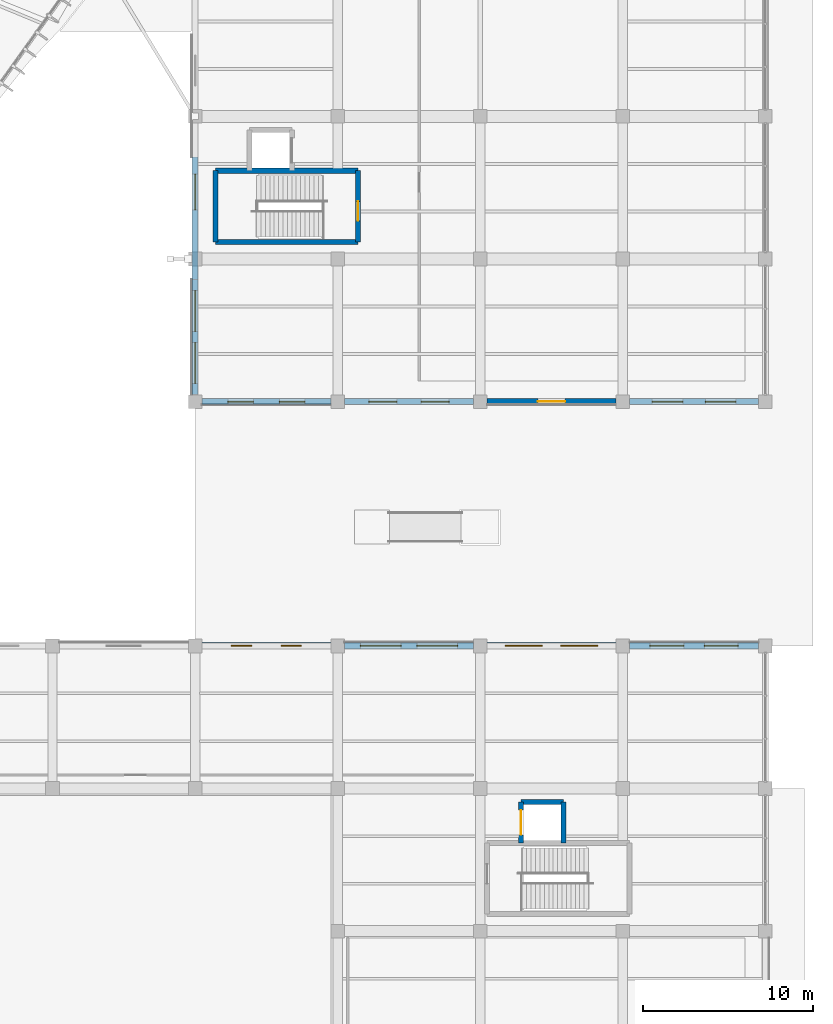
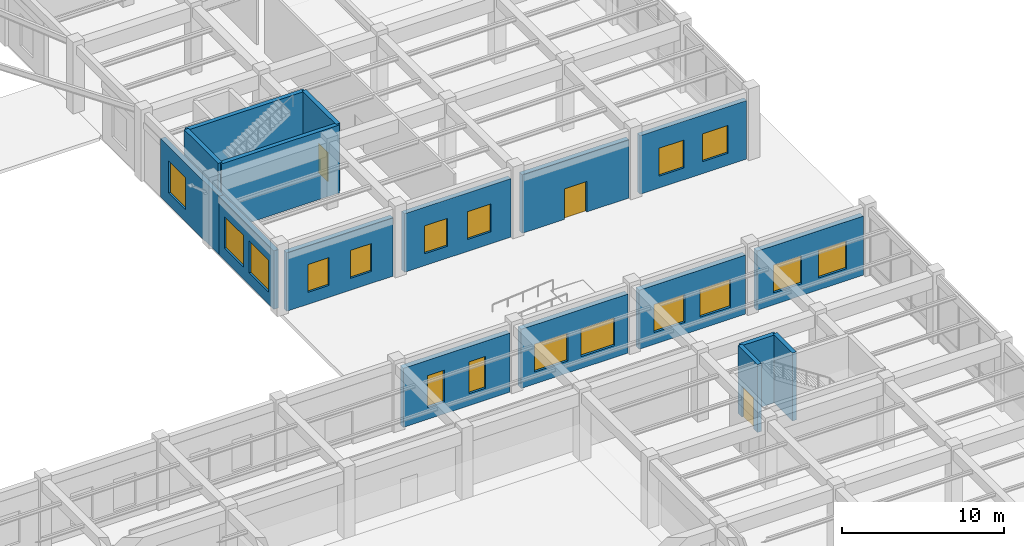
# One storey, part 133 of 157: 17 walls, 17 windows, 3 doors, 20 openings.
"""IFC4 building model written with IfcOpenShell, lengths in metres."""

from ifc_helpers import new_model, si_unit, direction, frame, frame_2d, origin, place, context, subcontext, project, spatial, rectangle, extrude, material, layer, layer_set, type_object, element, fill, save


model = new_model("IFC4")

# Units and contexts
model_context = context("Model", 3, precision=1e-05, world=origin(), true_north=direction((0.0, 1.0)))
body_context = subcontext(model_context, "Body", "Model", "MODEL_VIEW")
ifc_project = project(units=[si_unit("LENGTHUNIT", "METRE"), si_unit("AREAUNIT", "SQUARE_METRE"), si_unit("VOLUMEUNIT", "CUBIC_METRE"), si_unit("PLANEANGLEUNIT", "RADIAN"), si_unit("MASSUNIT", "GRAM", prefix="KILO"), si_unit("THERMODYNAMICTEMPERATUREUNIT", "KELVIN"), si_unit("POWERUNIT", "WATT")], contexts=[model_context])

# Site, building, storey
site_placement = place(None, origin())
site = spatial("IfcSite", under=ifc_project, at=site_placement, CompositionType="ELEMENT")
building_placement = place(site_placement, origin())
building = spatial("IfcBuilding", under=site, at=building_placement, Name="Darbajah Civic Hall", CompositionType="ELEMENT")
storey_placement = place(building_placement, origin())
storey = spatial("IfcBuildingStorey", under=building, at=storey_placement, Name="L00", CompositionType="ELEMENT", Elevation=0.0)

# Wall
ifc_material_1 = material(Name="Concrete C45/55", Category="concrete")
ifc_layer_1 = layer(ifc_material_1, 0.300048828125, Name="Concrete C45/55")
ifc_layer_set_1 = layer_set([ifc_layer_1], Name="Concrete C45/55")
wall_type_1 = type_object("IfcWallType", Name="Core Shear Wall 300mm", PredefinedType="SHEAR", material=ifc_layer_set_1)
wall_1_placement = place(storey_placement, frame((166.300048828125, 32.800048828125, 0.0), z_axis=(0.0, 0.0, 1.0), x_axis=(-1.0, 0.0, 0.0)))
element("IfcWall", 1, at=wall_1_placement, inside=storey, type_object=wall_type_1, Name="L00 lift GL1 shaft wall N", PredefinedType="SHEAR", context=body_context, shape_type="SweptSolid", body=[
    extrude(rectangle(XDim=2.5, YDim=0.300048828125, at=frame_2d((1.25, 0.0))), origin(), (0.0, 0.0, 1.0), 5.1201171875),
])

# Wall, opening, door
wall_2_placement = place(storey_placement, frame((163.800048828125, 32.800048828125, 0.0), z_axis=(0.0, 0.0, 1.0), x_axis=(0.0, -1.0, 0.0)))
wall_2 = element("IfcWall", 2, at=wall_2_placement, inside=storey, type_object=wall_type_1, Name="L00 lift GL1 shaft wall W", PredefinedType="SHEAR", context=body_context, shape_type="SweptSolid", body=[
    extrude(rectangle(XDim=2.400146484375, YDim=0.300048828125, at=frame_2d((1.2001953125, 0.0))), origin(), (0.0, 0.0, 1.0), 5.1201171875),
])
opening_1_placement = place(wall_2_placement, frame((0.47509765625, 0.0, 0.0)))
opening_1 = element("IfcOpeningElement", 3, at=opening_1_placement, cuts=wall_2, Name="Opening LD-0085", PredefinedType="OPENING", context=body_context, shape_type="SweptSolid", body=[
    extrude(rectangle(XDim=1.449951171875, YDim=2.35009765625, at=frame_2d((0.72509765625, 1.175048828125))), frame((0.0, 0.159912109375, 0.0), z_axis=(0.0, -1.0, 0.0), x_axis=(1.0, 0.0, 0.0)), (0.0, 0.0, 1.0), 0.320068359375),
])
ifc_material_2 = material(Name="Goods Lift Landing Door")
door_type_1 = type_object("IfcDoorType", Name="Lift Landing Door 1450x2350", OperationType="SLIDING_TO_LEFT", PredefinedType="DOOR", material=ifc_material_2)
door_1_placement = place(opening_1_placement, origin())
door_1 = element("IfcDoor", 4, at=door_1_placement, inside=storey, type_object=door_type_1, Name="L00 lift GL1 landing door LD-0085", OperationType="SLIDING_TO_LEFT", OverallHeight=2.35009765625, OverallWidth=1.449951171875, PredefinedType="DOOR", context=body_context, shape_type="SweptSolid", body=[
    extrude(rectangle(XDim=1.449951171875, YDim=2.35009765625, at=frame_2d((0.72509765625, 1.175048828125))), frame((0.0, 0.02490234375, 0.0), z_axis=(0.0, -1.0, 0.0), x_axis=(1.0, 0.0, 0.0)), (0.0, 0.0, 1.0), 0.050048828125),
])
fill(opening_1, door_1)

# Walls
wall_3_placement = place(storey_placement, frame((166.300048828125, 30.39990234375, 0.0), z_axis=(0.0, 0.0, 1.0), x_axis=(0.0, 1.0, 0.0)))
element("IfcWall", 5, at=wall_3_placement, inside=storey, type_object=wall_type_1, Name="L00 lift GL1 shaft wall E", PredefinedType="SHEAR", context=body_context, shape_type="SweptSolid", body=[
    extrude(rectangle(XDim=2.400146484375, YDim=0.300048828125, at=frame_2d((1.2001953125, 0.0))), origin(), (0.0, 0.0, 1.0), 5.1201171875),
])
wall_4_placement = place(storey_placement, frame((145.800048828125, 65.800048828125, 0.0), z_axis=(0.0, 0.0, 1.0), x_axis=(1.0, 0.0, 0.0)))
element("IfcWall", 6, at=wall_4_placement, inside=storey, type_object=wall_type_1, Name="L00 core C09 shear wall S", PredefinedType="SHEAR", context=body_context, shape_type="SweptSolid", body=[
    extrude(rectangle(XDim=8.39990234375, YDim=0.300048828125, at=frame_2d((4.199951171875, 0.0))), origin(), (0.0, 0.0, 1.0), 5.1201171875),
])

# Wall, opening, door
wall_5_placement = place(storey_placement, frame((154.199951171875, 65.800048828125, 0.0), z_axis=(0.0, 0.0, 1.0), x_axis=(0.0, 1.0, 0.0)))
wall_5 = element("IfcWall", 7, at=wall_5_placement, inside=storey, type_object=wall_type_1, Name="L00 core C09 shear wall E", PredefinedType="SHEAR", context=body_context, shape_type="SweptSolid", body=[
    extrude(rectangle(XDim=4.199951171875, YDim=0.300048828125, at=frame_2d((2.10009765625, 0.0))), origin(), (0.0, 0.0, 1.0), 5.1201171875),
])
opening_2_placement = place(wall_5_placement, frame((1.25, 0.0, 0.0)))
opening_2 = element("IfcOpeningElement", 8, at=opening_2_placement, cuts=wall_5, Name="Opening SD-0099", PredefinedType="OPENING", context=body_context, shape_type="SweptSolid", body=[
    extrude(rectangle(XDim=1.14990234375, YDim=2.199951171875, at=frame_2d((0.574951171875, 1.10009765625))), frame((0.0, 0.159912109375, 0.0), z_axis=(0.0, -1.0, 0.0), x_axis=(1.0, 0.0, 0.0)), (0.0, 0.0, 1.0), 0.320068359375),
])
ifc_material_3 = material(Name="Steel Rated Core Door", Category="steel")
door_type_2 = type_object("IfcDoorType", Name="Interior Door 1150x2200", OperationType="NOTDEFINED", PredefinedType="DOOR", material=ifc_material_3)
door_2_placement = place(opening_2_placement, frame((1.14990234375, 0.0, 0.0), z_axis=(0.0, 0.0, 1.0), x_axis=(-1.0, 0.0, 0.0)))
door_2 = element("IfcDoor", 9, at=door_2_placement, inside=storey, type_object=door_type_2, Name="L00 stair ST09 fire door SD-0099", OperationType="SINGLE_SWING_RIGHT", OverallHeight=2.199951171875, OverallWidth=1.14990234375, PredefinedType="DOOR", context=body_context, shape_type="SweptSolid", body=[
    extrude(rectangle(XDim=1.14990234375, YDim=2.199951171875, at=frame_2d((0.574951171875, 1.10009765625))), frame((0.0, 0.02490234375, 0.0), z_axis=(0.0, -1.0, 0.0), x_axis=(1.0, 0.0, 0.0)), (0.0, 0.0, 1.0), 0.050048828125),
])
fill(opening_2, door_2)

# Walls
wall_6_placement = place(storey_placement, frame((154.199951171875, 70.0, 0.0), z_axis=(0.0, 0.0, 1.0), x_axis=(-1.0, 0.0, 0.0)))
element("IfcWall", 10, at=wall_6_placement, inside=storey, type_object=wall_type_1, Name="L00 core C09 shear wall N", PredefinedType="SHEAR", context=body_context, shape_type="SweptSolid", body=[
    extrude(rectangle(XDim=8.39990234375, YDim=0.300048828125, at=frame_2d((4.199951171875, 0.0))), origin(), (0.0, 0.0, 1.0), 5.1201171875),
])
wall_7_placement = place(storey_placement, frame((145.800048828125, 70.0, 0.0), z_axis=(0.0, 0.0, 1.0), x_axis=(0.0, -1.0, 0.0)))
element("IfcWall", 11, at=wall_7_placement, inside=storey, type_object=wall_type_1, Name="L00 core C09 shear wall W", PredefinedType="SHEAR", context=body_context, shape_type="SweptSolid", body=[
    extrude(rectangle(XDim=4.199951171875, YDim=0.300048828125, at=frame_2d((2.10009765625, 0.0))), origin(), (0.0, 0.0, 1.0), 5.1201171875),
])

# Wall, openings, windows
ifc_material_4 = material(Name="Qatari Desert Limestone Ashlar", Category="masonry")
ifc_layer_2 = layer(ifc_material_4, 0.340087890625, Name="Qatari Desert Limestone Ashlar")
ifc_layer_set_2 = layer_set([ifc_layer_2], Name="Qatari Desert Limestone Ashlar")
wall_type_2 = type_object("IfcWallType", Name="Exterior Wall 340mm", PredefinedType="SOLIDWALL", material=ifc_layer_set_2)
wall_8_placement = place(storey_placement, frame((145.001953125, 56.39990234375, 0.0), z_axis=(0.0, 0.0, 1.0), x_axis=(1.0, 0.0, 0.0)))
wall_8 = element("IfcWall", 12, at=wall_8_placement, inside=storey, type_object=wall_type_2, Name="L00 exterior wall EW-340", PredefinedType="SOLIDWALL", context=body_context, shape_type="SweptSolid", body=[
    extrude(rectangle(XDim=7.595947265625, YDim=0.340087890625, at=frame_2d((3.7978515625, 0.0))), origin(), (0.0, 0.0, 1.0), 4.409912109375),
])
opening_3_placement = place(wall_8_placement, frame((1.531982421875, 0.0, 0.89990234375)))
opening_3 = element("IfcOpeningElement", 13, at=opening_3_placement, cuts=wall_8, Name="Opening WN-03", PredefinedType="OPENING", context=body_context, shape_type="SweptSolid", body=[
    extrude(rectangle(XDim=1.5, YDim=2.10009765625, at=frame_2d((0.75, 1.050048828125))), frame((0.0, 0.179931640625, 0.0), z_axis=(0.0, -1.0, 0.0), x_axis=(1.0, 0.0, 0.0)), (0.0, 0.0, 1.0), 0.360107421875),
])
opening_4_placement = place(wall_8_placement, frame((4.56396484375, 0.0, 0.89990234375)))
opening_4 = element("IfcOpeningElement", 14, at=opening_4_placement, cuts=wall_8, Name="Opening WN-03", PredefinedType="OPENING", context=body_context, shape_type="SweptSolid", body=[
    extrude(rectangle(XDim=1.5, YDim=2.10009765625, at=frame_2d((0.75, 1.050048828125))), frame((0.0, 0.179931640625, 0.0), z_axis=(0.0, -1.0, 0.0), x_axis=(1.0, 0.0, 0.0)), (0.0, 0.0, 1.0), 0.360107421875),
])
ifc_material_5 = material(Name="Low-E Solar Control Double Glazing", Category="glass")
window_type_1 = type_object("IfcWindowType", Name="Facade Window 1500x2100", PartitioningType="SINGLE_PANEL", PredefinedType="WINDOW", material=ifc_material_5)
window_1_placement = place(opening_3_placement, origin())
window_1 = element("IfcWindow", 15, at=window_1_placement, inside=storey, type_object=window_type_1, Name="L00 facade window WN-03", OverallHeight=2.10009765625, OverallWidth=1.5, PartitioningType="SINGLE_PANEL", PredefinedType="WINDOW", context=body_context, shape_type="SweptSolid", body=[
    extrude(rectangle(XDim=1.5, YDim=2.10009765625, at=frame_2d((0.75, 1.050048828125))), frame((0.0, 0.030029296875, 0.0), z_axis=(0.0, -1.0, 0.0), x_axis=(1.0, 0.0, 0.0)), (0.0, 0.0, 1.0), 0.06005859375),
])
fill(opening_3, window_1)
window_2_placement = place(opening_4_placement, origin())
window_2 = element("IfcWindow", 16, at=window_2_placement, inside=storey, type_object=window_type_1, Name="L00 facade window WN-03", OverallHeight=2.10009765625, OverallWidth=1.5, PartitioningType="SINGLE_PANEL", PredefinedType="WINDOW", context=body_context, shape_type="SweptSolid", body=[
    extrude(rectangle(XDim=1.5, YDim=2.10009765625, at=frame_2d((0.75, 1.050048828125))), frame((0.0, 0.030029296875, 0.0), z_axis=(0.0, -1.0, 0.0), x_axis=(1.0, 0.0, 0.0)), (0.0, 0.0, 1.0), 0.06005859375),
])
fill(opening_4, window_2)

wall_9_placement = place(storey_placement, frame((153.402099609375, 56.39990234375, 0.0), z_axis=(0.0, 0.0, 1.0), x_axis=(1.0, 0.0, 0.0)))
wall_9 = element("IfcWall", 17, at=wall_9_placement, inside=storey, type_object=wall_type_2, Name="L00 exterior wall EW-340", PredefinedType="SOLIDWALL", context=body_context, shape_type="SweptSolid", body=[
    extrude(rectangle(XDim=7.595947265625, YDim=0.340087890625, at=frame_2d((3.7978515625, 0.0))), origin(), (0.0, 0.0, 1.0), 4.409912109375),
])
opening_5_placement = place(wall_9_placement, frame((1.431884765625, 0.0, 0.89990234375)))
opening_5 = element("IfcOpeningElement", 18, at=opening_5_placement, cuts=wall_9, Name="Opening WN-04", PredefinedType="OPENING", context=body_context, shape_type="SweptSolid", body=[
    extrude(rectangle(XDim=1.64990234375, YDim=2.10009765625, at=frame_2d((0.824951171875, 1.050048828125))), frame((0.0, 0.179931640625, 0.0), z_axis=(0.0, -1.0, 0.0), x_axis=(1.0, 0.0, 0.0)), (0.0, 0.0, 1.0), 0.360107421875),
])
opening_6_placement = place(wall_9_placement, frame((4.513916015625, 0.0, 0.89990234375)))
opening_6 = element("IfcOpeningElement", 19, at=opening_6_placement, cuts=wall_9, Name="Opening WN-04", PredefinedType="OPENING", context=body_context, shape_type="SweptSolid", body=[
    extrude(rectangle(XDim=1.64990234375, YDim=2.10009765625, at=frame_2d((0.824951171875, 1.050048828125))), frame((0.0, 0.179931640625, 0.0), z_axis=(0.0, -1.0, 0.0), x_axis=(1.0, 0.0, 0.0)), (0.0, 0.0, 1.0), 0.360107421875),
])
window_type_2 = type_object("IfcWindowType", Name="Facade Window 1650x2100", PartitioningType="DOUBLE_PANEL_VERTICAL", PredefinedType="WINDOW", material=ifc_material_5)
window_3_placement = place(opening_5_placement, origin())
window_3 = element("IfcWindow", 20, at=window_3_placement, inside=storey, type_object=window_type_2, Name="L00 facade window WN-04", OverallHeight=2.10009765625, OverallWidth=1.64990234375, PartitioningType="SINGLE_PANEL", PredefinedType="WINDOW", context=body_context, shape_type="SweptSolid", body=[
    extrude(rectangle(XDim=1.64990234375, YDim=2.10009765625, at=frame_2d((0.824951171875, 1.050048828125))), frame((0.0, 0.030029296875, 0.0), z_axis=(0.0, -1.0, 0.0), x_axis=(1.0, 0.0, 0.0)), (0.0, 0.0, 1.0), 0.06005859375),
])
fill(opening_5, window_3)
window_4_placement = place(opening_6_placement, origin())
window_4 = element("IfcWindow", 21, at=window_4_placement, inside=storey, type_object=window_type_2, Name="L00 facade window WN-04", OverallHeight=2.10009765625, OverallWidth=1.64990234375, PartitioningType="SINGLE_PANEL", PredefinedType="WINDOW", context=body_context, shape_type="SweptSolid", body=[
    extrude(rectangle(XDim=1.64990234375, YDim=2.10009765625, at=frame_2d((0.824951171875, 1.050048828125))), frame((0.0, 0.030029296875, 0.0), z_axis=(0.0, -1.0, 0.0), x_axis=(1.0, 0.0, 0.0)), (0.0, 0.0, 1.0), 0.06005859375),
])
fill(opening_6, window_4)

# Wall, opening, door
wall_10_placement = place(storey_placement, frame((161.802001953125, 56.39990234375, 0.0), z_axis=(0.0, 0.0, 1.0), x_axis=(1.0, 0.0, 0.0)))
wall_10 = element("IfcWall", 22, at=wall_10_placement, inside=storey, type_object=wall_type_2, Name="L00 exterior wall EW-340", PredefinedType="SOLIDWALL", context=body_context, shape_type="SweptSolid", body=[
    extrude(rectangle(XDim=7.595947265625, YDim=0.340087890625, at=frame_2d((3.7978515625, 0.0))), origin(), (0.0, 0.0, 1.0), 4.409912109375),
])
opening_7_placement = place(wall_10_placement, frame((2.998046875, 0.0, 0.0)))
opening_7 = element("IfcOpeningElement", 23, at=opening_7_placement, cuts=wall_10, Name="Opening E-011", PredefinedType="OPENING", context=body_context, shape_type="SweptSolid", body=[
    extrude(rectangle(XDim=1.60009765625, YDim=2.300048828125, at=frame_2d((0.800048828125, 1.14990234375))), frame((0.0, 0.179931640625, 0.0), z_axis=(0.0, -1.0, 0.0), x_axis=(1.0, 0.0, 0.0)), (0.0, 0.0, 1.0), 0.360107421875),
])
ifc_material_6 = material(Name="Anodised Bronze Aluminium and Laminated Glass", Category="aluminium")
door_type_3 = type_object("IfcDoorType", Name="Exterior Door 1600x2300", OperationType="NOTDEFINED", PredefinedType="DOOR", material=ifc_material_6)
door_3_placement = place(opening_7_placement, frame((1.60009765625, 0.0, 0.0), z_axis=(0.0, 0.0, 1.0), x_axis=(-1.0, 0.0, 0.0)))
door_3 = element("IfcDoor", 24, at=door_3_placement, inside=storey, type_object=door_type_3, Name="Pedestrian Final Exit E-011", OperationType="DOUBLE_DOOR_SINGLE_SWING", OverallHeight=2.300048828125, OverallWidth=1.60009765625, PredefinedType="DOOR", context=body_context, shape_type="SweptSolid", body=[
    extrude(rectangle(XDim=1.60009765625, YDim=2.300048828125, at=frame_2d((0.800048828125, 1.14990234375))), frame((0.0, 0.02490234375, 0.0), z_axis=(0.0, -1.0, 0.0), x_axis=(1.0, 0.0, 0.0)), (0.0, 0.0, 1.0), 0.050048828125),
])
fill(opening_7, door_3)

# Wall, openings, windows
wall_11_placement = place(storey_placement, frame((170.201904296875, 56.39990234375, 0.0), z_axis=(0.0, 0.0, 1.0), x_axis=(1.0, 0.0, 0.0)))
wall_11 = element("IfcWall", 25, at=wall_11_placement, inside=storey, type_object=wall_type_2, Name="L00 exterior wall EW-340", PredefinedType="SOLIDWALL", context=body_context, shape_type="SweptSolid", body=[
    extrude(rectangle(XDim=7.59619140625, YDim=0.340087890625, at=frame_2d((3.798095703125, 0.0))), origin(), (0.0, 0.0, 1.0), 4.409912109375),
])
opening_8_placement = place(wall_11_placement, frame((1.33203125, 0.0, 0.89990234375)))
opening_8 = element("IfcOpeningElement", 26, at=opening_8_placement, cuts=wall_11, Name="Opening WN-05", PredefinedType="OPENING", context=body_context, shape_type="SweptSolid", body=[
    extrude(rectangle(XDim=1.800048828125, YDim=2.10009765625, at=frame_2d((0.89990234375, 1.050048828125))), frame((0.0, 0.179931640625, 0.0), z_axis=(0.0, -1.0, 0.0), x_axis=(1.0, 0.0, 0.0)), (0.0, 0.0, 1.0), 0.360107421875),
])
opening_9_placement = place(wall_11_placement, frame((4.464111328125, 0.0, 0.89990234375)))
opening_9 = element("IfcOpeningElement", 27, at=opening_9_placement, cuts=wall_11, Name="Opening WN-05", PredefinedType="OPENING", context=body_context, shape_type="SweptSolid", body=[
    extrude(rectangle(XDim=1.800048828125, YDim=2.10009765625, at=frame_2d((0.89990234375, 1.050048828125))), frame((0.0, 0.179931640625, 0.0), z_axis=(0.0, -1.0, 0.0), x_axis=(1.0, 0.0, 0.0)), (0.0, 0.0, 1.0), 0.360107421875),
])
window_type_3 = type_object("IfcWindowType", Name="Facade Window 1800x2100", PartitioningType="DOUBLE_PANEL_VERTICAL", PredefinedType="WINDOW", material=ifc_material_5)
window_5_placement = place(opening_8_placement, origin())
window_5 = element("IfcWindow", 28, at=window_5_placement, inside=storey, type_object=window_type_3, Name="L00 facade window WN-05", OverallHeight=2.10009765625, OverallWidth=1.800048828125, PartitioningType="SINGLE_PANEL", PredefinedType="WINDOW", context=body_context, shape_type="SweptSolid", body=[
    extrude(rectangle(XDim=1.800048828125, YDim=2.10009765625, at=frame_2d((0.89990234375, 1.050048828125))), frame((0.0, 0.030029296875, 0.0), z_axis=(0.0, -1.0, 0.0), x_axis=(1.0, 0.0, 0.0)), (0.0, 0.0, 1.0), 0.06005859375),
])
fill(opening_8, window_5)
window_6_placement = place(opening_9_placement, origin())
window_6 = element("IfcWindow", 29, at=window_6_placement, inside=storey, type_object=window_type_3, Name="L00 facade window WN-05", OverallHeight=2.10009765625, OverallWidth=1.800048828125, PartitioningType="SINGLE_PANEL", PredefinedType="WINDOW", context=body_context, shape_type="SweptSolid", body=[
    extrude(rectangle(XDim=1.800048828125, YDim=2.10009765625, at=frame_2d((0.89990234375, 1.050048828125))), frame((0.0, 0.030029296875, 0.0), z_axis=(0.0, -1.0, 0.0), x_axis=(1.0, 0.0, 0.0)), (0.0, 0.0, 1.0), 0.06005859375),
])
fill(opening_9, window_6)

# Wall, opening, window
wall_12_placement = place(storey_placement, frame((144.60009765625, 70.800048828125, 0.0), z_axis=(0.0, 0.0, 1.0), x_axis=(0.0, -1.0, 0.0)))
wall_12 = element("IfcWall", 30, at=wall_12_placement, inside=storey, type_object=wall_type_2, Name="L00 exterior wall EW-340", PredefinedType="SOLIDWALL", context=body_context, shape_type="SweptSolid", body=[
    extrude(rectangle(XDim=7.199951171875, YDim=0.340087890625, at=frame_2d((3.60009765625, 0.0))), origin(), (0.0, 0.0, 1.0), 4.409912109375),
])
opening_10_placement = place(wall_12_placement, frame((1.0, 0.0, 0.89990234375)))
opening_10 = element("IfcOpeningElement", 31, at=opening_10_placement, cuts=wall_12, Name="Opening WN-13", PredefinedType="OPENING", context=body_context, shape_type="SweptSolid", body=[
    extrude(rectangle(XDim=2.10009765625, YDim=2.39990234375, at=frame_2d((1.050048828125, 1.199951171875))), frame((0.0, 0.179931640625, 0.0), z_axis=(0.0, -1.0, 0.0), x_axis=(1.0, 0.0, 0.0)), (0.0, 0.0, 1.0), 0.360107421875),
])
window_type_4 = type_object("IfcWindowType", Name="Facade Window 2100x2400", PartitioningType="DOUBLE_PANEL_VERTICAL", PredefinedType="WINDOW", material=ifc_material_5)
window_7_placement = place(opening_10_placement, origin())
window_7 = element("IfcWindow", 32, at=window_7_placement, inside=storey, type_object=window_type_4, Name="L00 facade window WN-13", OverallHeight=2.39990234375, OverallWidth=2.10009765625, PartitioningType="SINGLE_PANEL", PredefinedType="WINDOW", context=body_context, shape_type="SweptSolid", body=[
    extrude(rectangle(XDim=2.10009765625, YDim=2.39990234375, at=frame_2d((1.050048828125, 1.199951171875))), frame((0.0, 0.030029296875, 0.0), z_axis=(0.0, -1.0, 0.0), x_axis=(1.0, 0.0, 0.0)), (0.0, 0.0, 1.0), 0.06005859375),
])
fill(opening_10, window_7)

# Wall, openings, windows
wall_13_placement = place(storey_placement, frame((144.60009765625, 63.60009765625, 0.0), z_axis=(0.0, 0.0, 1.0), x_axis=(0.0, -1.0, 0.0)))
wall_13 = element("IfcWall", 33, at=wall_13_placement, inside=storey, type_object=wall_type_2, Name="L00 exterior wall EW-340", PredefinedType="SOLIDWALL", context=body_context, shape_type="SweptSolid", body=[
    extrude(rectangle(XDim=6.798095703125, YDim=0.340087890625, at=frame_2d((3.39892578125, 0.0))), origin(), (0.0, 0.0, 1.0), 4.409912109375),
])
opening_11_placement = place(wall_13_placement, frame((0.666015625, 0.0, 0.89990234375)))
opening_11 = element("IfcOpeningElement", 34, at=opening_11_placement, cuts=wall_13, Name="Opening WN-14", PredefinedType="OPENING", context=body_context, shape_type="SweptSolid", body=[
    extrude(rectangle(XDim=2.39990234375, YDim=2.39990234375, at=frame_2d((1.199951171875, 1.199951171875))), frame((0.0, 0.179931640625, 0.0), z_axis=(0.0, -1.0, 0.0), x_axis=(1.0, 0.0, 0.0)), (0.0, 0.0, 1.0), 0.360107421875),
])
opening_12_placement = place(wall_13_placement, frame((3.73193359375, 0.0, 0.89990234375)))
opening_12 = element("IfcOpeningElement", 35, at=opening_12_placement, cuts=wall_13, Name="Opening WN-14", PredefinedType="OPENING", context=body_context, shape_type="SweptSolid", body=[
    extrude(rectangle(XDim=2.39990234375, YDim=2.39990234375, at=frame_2d((1.199951171875, 1.199951171875))), frame((0.0, 0.179931640625, 0.0), z_axis=(0.0, -1.0, 0.0), x_axis=(1.0, 0.0, 0.0)), (0.0, 0.0, 1.0), 0.360107421875),
])
window_type_5 = type_object("IfcWindowType", Name="Facade Window 2400x2400", PartitioningType="DOUBLE_PANEL_VERTICAL", PredefinedType="WINDOW", material=ifc_material_5)
window_8_placement = place(opening_11_placement, origin())
window_8 = element("IfcWindow", 36, at=window_8_placement, inside=storey, type_object=window_type_5, Name="L00 facade window WN-14", OverallHeight=2.39990234375, OverallWidth=2.39990234375, PartitioningType="SINGLE_PANEL", PredefinedType="WINDOW", context=body_context, shape_type="SweptSolid", body=[
    extrude(rectangle(XDim=2.39990234375, YDim=2.39990234375, at=frame_2d((1.199951171875, 1.199951171875))), frame((0.0, 0.030029296875, 0.0), z_axis=(0.0, -1.0, 0.0), x_axis=(1.0, 0.0, 0.0)), (0.0, 0.0, 1.0), 0.06005859375),
])
fill(opening_11, window_8)
window_9_placement = place(opening_12_placement, origin())
window_9 = element("IfcWindow", 37, at=window_9_placement, inside=storey, type_object=window_type_5, Name="L00 facade window WN-14", OverallHeight=2.39990234375, OverallWidth=2.39990234375, PartitioningType="SINGLE_PANEL", PredefinedType="WINDOW", context=body_context, shape_type="SweptSolid", body=[
    extrude(rectangle(XDim=2.39990234375, YDim=2.39990234375, at=frame_2d((1.199951171875, 1.199951171875))), frame((0.0, 0.030029296875, 0.0), z_axis=(0.0, -1.0, 0.0), x_axis=(1.0, 0.0, 0.0)), (0.0, 0.0, 1.0), 0.06005859375),
])
fill(opening_12, window_9)

ifc_material_7 = material(Name="Red Dholpur Sandstone Cladding", Category="masonry")
ifc_layer_3 = layer(ifc_material_7, 0.3798828125, Name="Red Dholpur Sandstone Cladding")
ifc_layer_set_3 = layer_set([ifc_layer_3], Name="Red Dholpur Sandstone Cladding")
wall_type_3 = type_object("IfcWallType", Name="Exterior Wall 380mm", PredefinedType="SOLIDWALL", material=ifc_layer_set_3)
wall_14_placement = place(storey_placement, frame((177.798095703125, 42.0, 0.0), z_axis=(0.0, 0.0, 1.0), x_axis=(-1.0, 0.0, 0.0)))
wall_14 = element("IfcWall", 38, at=wall_14_placement, inside=storey, type_object=wall_type_3, Name="L00 exterior wall EW-380", PredefinedType="SOLIDWALL", context=body_context, shape_type="SweptSolid", body=[
    extrude(rectangle(XDim=7.59619140625, YDim=0.3798828125, at=frame_2d((3.798095703125, 0.0))), origin(), (0.0, 0.0, 1.0), 4.449951171875),
])
opening_13_placement = place(wall_14_placement, frame((1.19873046875, 0.0, 0.89990234375)))
opening_13 = element("IfcOpeningElement", 39, at=opening_13_placement, cuts=wall_14, Name="Opening WN-06", PredefinedType="OPENING", context=body_context, shape_type="SweptSolid", body=[
    extrude(rectangle(XDim=2.0, YDim=2.10009765625, at=frame_2d((1.0, 1.050048828125))), frame((0.0, 0.199951171875, 0.0), z_axis=(0.0, -1.0, 0.0), x_axis=(1.0, 0.0, 0.0)), (0.0, 0.0, 1.0), 0.39990234375),
])
opening_14_placement = place(wall_14_placement, frame((4.397216796875, 0.0, 0.89990234375)))
opening_14 = element("IfcOpeningElement", 40, at=opening_14_placement, cuts=wall_14, Name="Opening WN-06", PredefinedType="OPENING", context=body_context, shape_type="SweptSolid", body=[
    extrude(rectangle(XDim=2.0, YDim=2.10009765625, at=frame_2d((1.0, 1.050048828125))), frame((0.0, 0.199951171875, 0.0), z_axis=(0.0, -1.0, 0.0), x_axis=(1.0, 0.0, 0.0)), (0.0, 0.0, 1.0), 0.39990234375),
])
window_type_6 = type_object("IfcWindowType", Name="Facade Window 2000x2100", PartitioningType="DOUBLE_PANEL_VERTICAL", PredefinedType="WINDOW", material=ifc_material_5)
window_10_placement = place(opening_13_placement, origin())
window_10 = element("IfcWindow", 41, at=window_10_placement, inside=storey, type_object=window_type_6, Name="L00 facade window WN-06", OverallHeight=2.10009765625, OverallWidth=2.0, PartitioningType="SINGLE_PANEL", PredefinedType="WINDOW", context=body_context, shape_type="SweptSolid", body=[
    extrude(rectangle(XDim=2.0, YDim=2.10009765625, at=frame_2d((1.0, 1.050048828125))), frame((0.0, 0.030029296875, 0.0), z_axis=(0.0, -1.0, 0.0), x_axis=(1.0, 0.0, 0.0)), (0.0, 0.0, 1.0), 0.06005859375),
])
fill(opening_13, window_10)
window_11_placement = place(opening_14_placement, origin())
window_11 = element("IfcWindow", 42, at=window_11_placement, inside=storey, type_object=window_type_6, Name="L00 facade window WN-06", OverallHeight=2.10009765625, OverallWidth=2.0, PartitioningType="SINGLE_PANEL", PredefinedType="WINDOW", context=body_context, shape_type="SweptSolid", body=[
    extrude(rectangle(XDim=2.0, YDim=2.10009765625, at=frame_2d((1.0, 1.050048828125))), frame((0.0, 0.030029296875, 0.0), z_axis=(0.0, -1.0, 0.0), x_axis=(1.0, 0.0, 0.0)), (0.0, 0.0, 1.0), 0.06005859375),
])
fill(opening_14, window_11)

wall_15_placement = place(storey_placement, frame((169.39794921875, 42.0, 0.0), z_axis=(0.0, 0.0, 1.0), x_axis=(-1.0, 0.0, 0.0)))
wall_15 = element("IfcWall", 43, at=wall_15_placement, inside=storey, type_object=wall_type_3, Name="L00 exterior wall EW-380", PredefinedType="SOLIDWALL", context=body_context, shape_type="SweptSolid", body=[
    extrude(rectangle(XDim=7.595947265625, YDim=0.3798828125, at=frame_2d((3.7978515625, 0.0))), origin(), (0.0, 0.0, 1.0), 4.449951171875),
])
opening_15_placement = place(wall_15_placement, frame((1.065185546875, 0.0, 0.89990234375)))
opening_15 = element("IfcOpeningElement", 44, at=opening_15_placement, cuts=wall_15, Name="Opening WN-07", PredefinedType="OPENING", context=body_context, shape_type="SweptSolid", body=[
    extrude(rectangle(XDim=2.199951171875, YDim=2.10009765625, at=frame_2d((1.10009765625, 1.050048828125))), frame((0.0, 0.199951171875, 0.0), z_axis=(0.0, -1.0, 0.0), x_axis=(1.0, 0.0, 0.0)), (0.0, 0.0, 1.0), 0.39990234375),
])
opening_16_placement = place(wall_15_placement, frame((4.330810546875, 0.0, 0.89990234375)))
opening_16 = element("IfcOpeningElement", 45, at=opening_16_placement, cuts=wall_15, Name="Opening WN-07", PredefinedType="OPENING", context=body_context, shape_type="SweptSolid", body=[
    extrude(rectangle(XDim=2.199951171875, YDim=2.10009765625, at=frame_2d((1.10009765625, 1.050048828125))), frame((0.0, 0.199951171875, 0.0), z_axis=(0.0, -1.0, 0.0), x_axis=(1.0, 0.0, 0.0)), (0.0, 0.0, 1.0), 0.39990234375),
])
window_type_7 = type_object("IfcWindowType", Name="Facade Window 2200x2100", PartitioningType="DOUBLE_PANEL_VERTICAL", PredefinedType="WINDOW", material=ifc_material_5)
window_12_placement = place(opening_15_placement, origin())
window_12 = element("IfcWindow", 46, at=window_12_placement, inside=storey, type_object=window_type_7, Name="L00 facade window WN-07", OverallHeight=2.10009765625, OverallWidth=2.199951171875, PartitioningType="SINGLE_PANEL", PredefinedType="WINDOW", context=body_context, shape_type="SweptSolid", body=[
    extrude(rectangle(XDim=2.199951171875, YDim=2.10009765625, at=frame_2d((1.10009765625, 1.050048828125))), frame((0.0, 0.030029296875, 0.0), z_axis=(0.0, -1.0, 0.0), x_axis=(1.0, 0.0, 0.0)), (0.0, 0.0, 1.0), 0.06005859375),
])
fill(opening_15, window_12)
window_13_placement = place(opening_16_placement, origin())
window_13 = element("IfcWindow", 47, at=window_13_placement, inside=storey, type_object=window_type_7, Name="L00 facade window WN-07", OverallHeight=2.10009765625, OverallWidth=2.199951171875, PartitioningType="SINGLE_PANEL", PredefinedType="WINDOW", context=body_context, shape_type="SweptSolid", body=[
    extrude(rectangle(XDim=2.199951171875, YDim=2.10009765625, at=frame_2d((1.10009765625, 1.050048828125))), frame((0.0, 0.030029296875, 0.0), z_axis=(0.0, -1.0, 0.0), x_axis=(1.0, 0.0, 0.0)), (0.0, 0.0, 1.0), 0.06005859375),
])
fill(opening_16, window_13)

wall_16_placement = place(storey_placement, frame((160.998046875, 42.0, 0.0), z_axis=(0.0, 0.0, 1.0), x_axis=(-1.0, 0.0, 0.0)))
wall_16 = element("IfcWall", 48, at=wall_16_placement, inside=storey, type_object=wall_type_3, Name="L00 exterior wall EW-380", PredefinedType="SOLIDWALL", context=body_context, shape_type="SweptSolid", body=[
    extrude(rectangle(XDim=7.595947265625, YDim=0.3798828125, at=frame_2d((3.7978515625, 0.0))), origin(), (0.0, 0.0, 1.0), 4.449951171875),
])
opening_17_placement = place(wall_16_placement, frame((0.931884765625, 0.0, 0.89990234375)))
opening_17 = element("IfcOpeningElement", 49, at=opening_17_placement, cuts=wall_16, Name="Opening WN-08", PredefinedType="OPENING", context=body_context, shape_type="SweptSolid", body=[
    extrude(rectangle(XDim=2.39990234375, YDim=2.10009765625, at=frame_2d((1.199951171875, 1.050048828125))), frame((0.0, 0.199951171875, 0.0), z_axis=(0.0, -1.0, 0.0), x_axis=(1.0, 0.0, 0.0)), (0.0, 0.0, 1.0), 0.39990234375),
])
opening_18_placement = place(wall_16_placement, frame((4.263916015625, 0.0, 0.89990234375)))
opening_18 = element("IfcOpeningElement", 50, at=opening_18_placement, cuts=wall_16, Name="Opening WN-08", PredefinedType="OPENING", context=body_context, shape_type="SweptSolid", body=[
    extrude(rectangle(XDim=2.39990234375, YDim=2.10009765625, at=frame_2d((1.199951171875, 1.050048828125))), frame((0.0, 0.199951171875, 0.0), z_axis=(0.0, -1.0, 0.0), x_axis=(1.0, 0.0, 0.0)), (0.0, 0.0, 1.0), 0.39990234375),
])
window_type_8 = type_object("IfcWindowType", Name="Facade Window 2400x2100", PartitioningType="DOUBLE_PANEL_VERTICAL", PredefinedType="WINDOW", material=ifc_material_5)
window_14_placement = place(opening_17_placement, origin())
window_14 = element("IfcWindow", 51, at=window_14_placement, inside=storey, type_object=window_type_8, Name="L00 facade window WN-08", OverallHeight=2.10009765625, OverallWidth=2.39990234375, PartitioningType="SINGLE_PANEL", PredefinedType="WINDOW", context=body_context, shape_type="SweptSolid", body=[
    extrude(rectangle(XDim=2.39990234375, YDim=2.10009765625, at=frame_2d((1.199951171875, 1.050048828125))), frame((0.0, 0.030029296875, 0.0), z_axis=(0.0, -1.0, 0.0), x_axis=(1.0, 0.0, 0.0)), (0.0, 0.0, 1.0), 0.06005859375),
])
fill(opening_17, window_14)
window_15_placement = place(opening_18_placement, origin())
window_15 = element("IfcWindow", 52, at=window_15_placement, inside=storey, type_object=window_type_8, Name="L00 facade window WN-08", OverallHeight=2.10009765625, OverallWidth=2.39990234375, PartitioningType="SINGLE_PANEL", PredefinedType="WINDOW", context=body_context, shape_type="SweptSolid", body=[
    extrude(rectangle(XDim=2.39990234375, YDim=2.10009765625, at=frame_2d((1.199951171875, 1.050048828125))), frame((0.0, 0.030029296875, 0.0), z_axis=(0.0, -1.0, 0.0), x_axis=(1.0, 0.0, 0.0)), (0.0, 0.0, 1.0), 0.06005859375),
])
fill(opening_18, window_15)

wall_17_placement = place(storey_placement, frame((152.597900390625, 42.0, 0.0), z_axis=(0.0, 0.0, 1.0), x_axis=(-1.0, 0.0, 0.0)))
wall_17 = element("IfcWall", 53, at=wall_17_placement, inside=storey, type_object=wall_type_3, Name="L00 exterior wall EW-380", PredefinedType="SOLIDWALL", context=body_context, shape_type="SweptSolid", body=[
    extrude(rectangle(XDim=7.595947265625, YDim=0.3798828125, at=frame_2d((3.7978515625, 0.0))), origin(), (0.0, 0.0, 1.0), 4.449951171875),
])
opening_19_placement = place(wall_17_placement, frame((1.73193359375, 0.0, 0.89990234375)))
opening_19 = element("IfcOpeningElement", 54, at=opening_19_placement, cuts=wall_17, Name="Opening WN-09", PredefinedType="OPENING", context=body_context, shape_type="SweptSolid", body=[
    extrude(rectangle(XDim=1.199951171875, YDim=2.39990234375, at=frame_2d((0.60009765625, 1.199951171875))), frame((0.0, 0.199951171875, 0.0), z_axis=(0.0, -1.0, 0.0), x_axis=(1.0, 0.0, 0.0)), (0.0, 0.0, 1.0), 0.39990234375),
])
opening_20_placement = place(wall_17_placement, frame((4.6640625, 0.0, 0.89990234375)))
opening_20 = element("IfcOpeningElement", 55, at=opening_20_placement, cuts=wall_17, Name="Opening WN-09", PredefinedType="OPENING", context=body_context, shape_type="SweptSolid", body=[
    extrude(rectangle(XDim=1.199951171875, YDim=2.39990234375, at=frame_2d((0.60009765625, 1.199951171875))), frame((0.0, 0.199951171875, 0.0), z_axis=(0.0, -1.0, 0.0), x_axis=(1.0, 0.0, 0.0)), (0.0, 0.0, 1.0), 0.39990234375),
])
window_type_9 = type_object("IfcWindowType", Name="Facade Window 1200x2400", PartitioningType="SINGLE_PANEL", PredefinedType="WINDOW", material=ifc_material_5)
window_16_placement = place(opening_19_placement, origin())
window_16 = element("IfcWindow", 56, at=window_16_placement, inside=storey, type_object=window_type_9, Name="L00 facade window WN-09", OverallHeight=2.39990234375, OverallWidth=1.199951171875, PartitioningType="SINGLE_PANEL", PredefinedType="WINDOW", context=body_context, shape_type="SweptSolid", body=[
    extrude(rectangle(XDim=1.199951171875, YDim=2.39990234375, at=frame_2d((0.60009765625, 1.199951171875))), frame((0.0, 0.030029296875, 0.0), z_axis=(0.0, -1.0, 0.0), x_axis=(1.0, 0.0, 0.0)), (0.0, 0.0, 1.0), 0.06005859375),
])
fill(opening_19, window_16)
window_17_placement = place(opening_20_placement, origin())
window_17 = element("IfcWindow", 57, at=window_17_placement, inside=storey, type_object=window_type_9, Name="L00 facade window WN-09", OverallHeight=2.39990234375, OverallWidth=1.199951171875, PartitioningType="SINGLE_PANEL", PredefinedType="WINDOW", context=body_context, shape_type="SweptSolid", body=[
    extrude(rectangle(XDim=1.199951171875, YDim=2.39990234375, at=frame_2d((0.60009765625, 1.199951171875))), frame((0.0, 0.030029296875, 0.0), z_axis=(0.0, -1.0, 0.0), x_axis=(1.0, 0.0, 0.0)), (0.0, 0.0, 1.0), 0.06005859375),
])
fill(opening_20, window_17)

save(model, "model.ifc")
